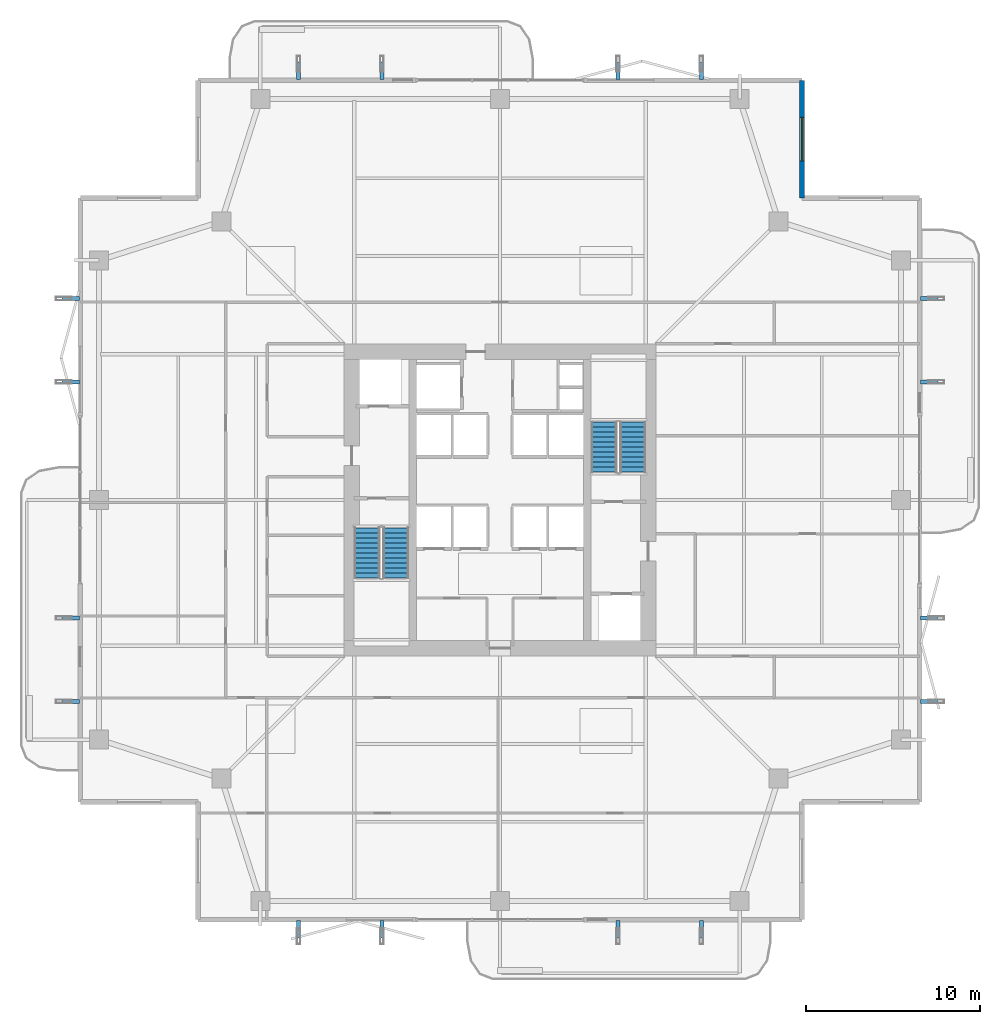
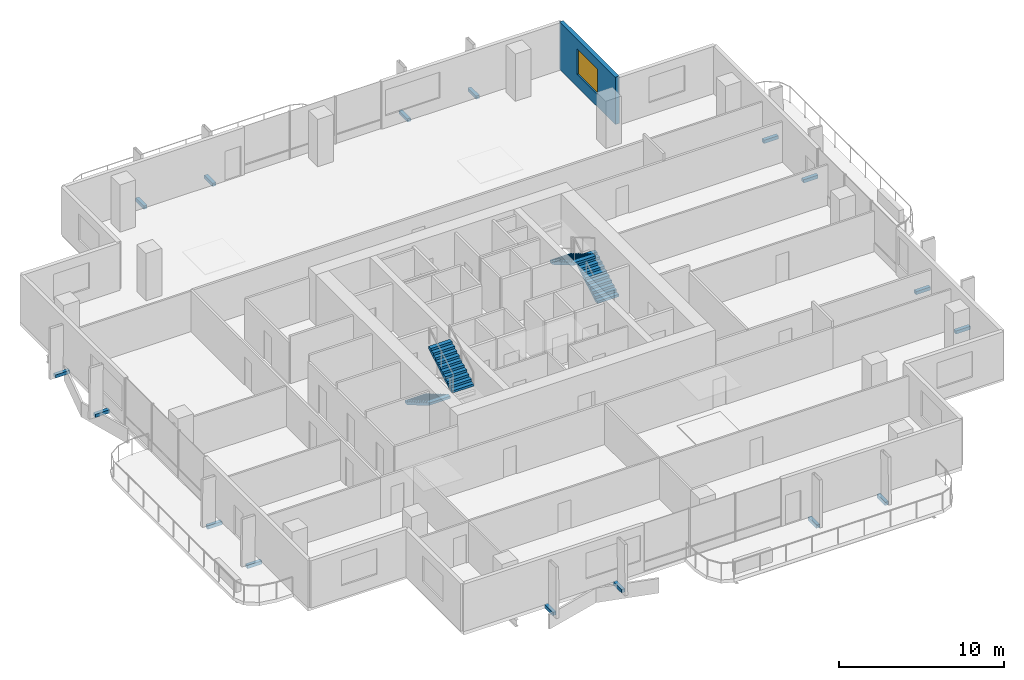
# One storey, part 21 of 24: 16 discrete accessories, 4 stair flights, 1 wall, 1 window, 1 opening, 2 elements without a shape of their own.
"""IFC4 building model written with IfcOpenShell, lengths in metres."""

import ifcopenshell
import ifcopenshell.guid

model = None  # the IFC model being written
_history = None  # IfcOwnerHistory: only IFC2X3 demands one
_inside = {}  # id of a spatial element -> (the spatial element, [elements in it])
_under = {}  # id of a project, library or spatial element -> (it, [spatial elements below it])
_declared = {}  # id of a project -> (the project, [libraries it declares])
_typed = {}  # id of a type object -> (the type object, [elements of that type])
_made_of = {}  # id of a material, layer set ... -> (it, [elements and type objects made of it])


def new_model(schema):
    """Start an empty IFC model of exactly this schema.

    Asked for "IFC4X3", IfcOpenShell would pick the latest addendum, in which some entities
    have other attributes; the version numbers below select the first issue.
    IFC2X3 requires an IfcOwnerHistory on every rooted entity: one is made here for all.
    """
    global model, _history
    if schema == "IFC4X3":
        model = ifcopenshell.file(schema_version=(4, 3, 0, 0))
    else:
        model = ifcopenshell.file(schema=schema)
    _inside.clear()
    _under.clear()
    _declared.clear()
    _typed.clear()
    _made_of.clear()
    _history = None
    if model.schema == "IFC2X3":
        org = make("IfcOrganization", Name="unknown")
        user = make(
            "IfcPersonAndOrganization",
            ThePerson=make("IfcPerson", FamilyName="unknown"),
            TheOrganization=org,
        )
        app = make(
            "IfcApplication",
            ApplicationDeveloper=org,
            Version="unknown",
            ApplicationFullName="unknown",
            ApplicationIdentifier="unknown",
        )
        _history = make(
            "IfcOwnerHistory",
            OwningUser=user,
            OwningApplication=app,
            ChangeAction="ADDED",
            CreationDate=0,
        )
    return model


def make(cls, **values):
    """One entity of the class cls with the attributes given. An attribute that is None is left unset."""
    return model.create_entity(
        cls, **{name: value for name, value in values.items() if value is not None}
    )


def rooted(cls, **values):
    """An entity with a GlobalId (a new one), such as an element, a storey or a relation."""
    return make(cls, GlobalId=ifcopenshell.guid.new(), OwnerHistory=_history, **values)


def si_unit(unit_type, name, prefix=None):
    """IfcSIUnit, for example si_unit("LENGTHUNIT", "METRE", prefix="MILLI")."""
    return make("IfcSIUnit", UnitType=unit_type, Prefix=prefix, Name=name)


def assignment(units):
    """IfcUnitAssignment: the units of a project."""
    return None if units is None else make("IfcUnitAssignment", Units=units)


def point(xyz):
    """IfcCartesianPoint."""
    return None if xyz is None else make("IfcCartesianPoint", Coordinates=xyz)


def direction(xyz):
    """IfcDirection."""
    return None if xyz is None else make("IfcDirection", DirectionRatios=xyz)


def frame(location, z_axis=None, x_axis=None):
    """IfcAxis2Placement3D, a coordinate frame: its origin and axes. An axis left out is left unset."""
    return make(
        "IfcAxis2Placement3D",
        Location=point(location),
        Axis=direction(z_axis),
        RefDirection=direction(x_axis),
    )


def frame_2d(location, x_axis=None):
    """IfcAxis2Placement2D, a coordinate frame in the plane: its origin and x axis."""
    return make(
        "IfcAxis2Placement2D", Location=point(location), RefDirection=direction(x_axis)
    )


def origin():
    """The frame at (0, 0, 0) with its axes left unset."""
    return frame((0.0, 0.0, 0.0))


def origin_2d():
    """The frame at (0, 0) in the plane with its x axis left unset."""
    return frame_2d((0.0, 0.0))


def place(relative_to, where):
    """IfcLocalPlacement: puts the frame where relative to a parent placement (None: the world)."""
    return make(
        "IfcLocalPlacement", PlacementRelTo=relative_to, RelativePlacement=where
    )


def context(
    kind, dimensions, precision=None, world=None, true_north=None, identifier=None
):
    """IfcGeometricRepresentationContext, for example the 3D "Model" context."""
    return make(
        "IfcGeometricRepresentationContext",
        ContextIdentifier=identifier,
        ContextType=kind,
        CoordinateSpaceDimension=dimensions,
        Precision=precision,
        WorldCoordinateSystem=world,
        TrueNorth=true_north,
    )


def subcontext(parent, identifier, kind, view, scale=None):
    """IfcGeometricRepresentationSubContext, for example "Body" below "Model"."""
    return make(
        "IfcGeometricRepresentationSubContext",
        ContextIdentifier=identifier,
        ContextType=kind,
        ParentContext=parent,
        TargetScale=scale,
        TargetView=view,
    )


def project(units=None, contexts=None):
    """IfcProject with its units and contexts."""
    return rooted(
        "IfcProject",
        Name="project",
        RepresentationContexts=contexts,
        UnitsInContext=assignment(units),
    )


def spatial(cls, under=None, at=None, **own):
    """A site, building, storey or space (cls), placed at a placement, below another one or the project."""
    s = rooted(cls, ObjectPlacement=at, **own)
    if under is not None:
        _under.setdefault(under.id(), (under, []))[1].append(s)
    return s


def polyline(points):
    """IfcPolyline through the points."""
    return make("IfcPolyline", Points=[point(p) for p in points])


def profile(cls, at=None, kind="AREA", **sizes):
    """A parametric profile (cls). Its sizes go by their IFC names, for example OverallWidth=200.0."""
    return make(cls, ProfileType=kind, Position=at, **sizes)


def rectangle(**sizes):
    """IfcRectangleProfileDef."""
    return profile("IfcRectangleProfileDef", **sizes)


def outline(outer, holes=None, kind="AREA"):
    """IfcArbitraryClosedProfileDef: a profile drawn as a closed curve; with holes, ...WithVoids."""
    if holes is None:
        return make("IfcArbitraryClosedProfileDef", ProfileType=kind, OuterCurve=outer)
    return make(
        "IfcArbitraryProfileDefWithVoids",
        ProfileType=kind,
        OuterCurve=outer,
        InnerCurves=holes,
    )


def extrude(swept, where, along, depth):
    """IfcExtrudedAreaSolid: the profile swept, set in the frame where, extruded along a direction by depth."""
    return make(
        "IfcExtrudedAreaSolid",
        SweptArea=swept,
        Position=where,
        ExtrudedDirection=direction(along),
        Depth=depth,
    )


def shape(context_of_items, identifier, shape_type, items):
    """IfcShapeRepresentation: the items that make up one representation, for example the "Body"."""
    return make(
        "IfcShapeRepresentation",
        ContextOfItems=context_of_items,
        RepresentationIdentifier=identifier,
        RepresentationType=shape_type,
        Items=items,
    )


def material(Name=None, Category=None):
    """IfcMaterial."""
    return make("IfcMaterial", Name=Name, Category=Category)


def layer(
    of_material, thickness, ventilated=None, Name=None, Category=None, Priority=None
):
    """IfcMaterialLayer: one layer of a wall or slab, of a material (None: an air gap)."""
    return make(
        "IfcMaterialLayer",
        Material=of_material,
        LayerThickness=thickness,
        IsVentilated=ventilated,
        Name=Name,
        Category=Category,
        Priority=Priority,
    )


def layer_set(layers, Name=None):
    """IfcMaterialLayerSet."""
    return make("IfcMaterialLayerSet", MaterialLayers=layers, LayerSetName=Name)


def made_of(thing, what):
    """Note that an element or type object is made of a material, layer set ...; save() writes the relation."""
    if what is not None:
        _made_of.setdefault(what.id(), (what, []))[1].append(thing)
    return thing


def type_object(cls, material=None, **own):
    """A type object (cls), such as IfcWallType, which elements share."""
    return made_of(rooted(cls, **own), material)


def element(
    cls,
    number,
    at=None,
    inside=None,
    cuts=None,
    type_object=None,
    material=None,
    context=None,
    identifier="Body",
    shape_type=None,
    held_by="IfcProductDefinitionShape",
    body=None,
    shapes=None,
    **own,
):
    """One element of the class cls, such as IfcWall. Its Tag is "e" and its number.

    at: its placement. inside: the storey or other place that contains it. cuts: it is an
    opening in that element (IfcRelVoidsElement). A single representation is given by context,
    identifier, shape_type and body (its items); several are given by shapes. held_by: the class
    of the entity that holds the representations. save() writes the other relations.
    """
    e = rooted(cls, Tag="e%d" % number, ObjectPlacement=at, **own)
    if body is not None:
        shapes = [shape(context, identifier, shape_type, body)]
    if shapes is not None:
        e.Representation = make(held_by, Representations=shapes)
    if inside is not None:
        _inside.setdefault(inside.id(), (inside, []))[1].append(e)
    if cuts is not None:
        rooted(
            "IfcRelVoidsElement", RelatingBuildingElement=cuts, RelatedOpeningElement=e
        )
    if type_object is not None:
        _typed.setdefault(type_object.id(), (type_object, []))[1].append(e)
    return made_of(e, material)


def fill(opening, filler):
    """IfcRelFillsElement: the door or window that sits in an opening."""
    return rooted(
        "IfcRelFillsElement",
        RelatingOpeningElement=opening,
        RelatedBuildingElement=filler,
    )


def aggregate(whole, parts):
    """IfcRelAggregates: a whole, such as a stair, and the parts it consists of."""
    return rooted("IfcRelAggregates", RelatingObject=whole, RelatedObjects=parts)


def save(model, path):
    """Write the relations noted so far, then the file.

    IfcRelAggregates (storeys below a building ...), IfcRelContainedInSpatialStructure (elements
    in a storey), IfcRelDefinesByType, IfcRelAssociatesMaterial and IfcRelDeclares: one each for
    every whole, place, type object, material and project.
    """
    for whole, parts in _under.values():
        aggregate(whole, parts)
    for where, things in _inside.values():
        rooted(
            "IfcRelContainedInSpatialStructure",
            RelatedElements=things,
            RelatingStructure=where,
        )
    for kind, things in _typed.values():
        rooted("IfcRelDefinesByType", RelatedObjects=things, RelatingType=kind)
    for what, things in _made_of.values():
        rooted("IfcRelAssociatesMaterial", RelatedObjects=things, RelatingMaterial=what)
    for by, libraries in _declared.values():
        rooted("IfcRelDeclares", RelatingContext=by, RelatedDefinitions=libraries)
    model.write(path)


model = new_model("IFC4")

# Units and contexts
model_context = context("Model", 3, precision=1e-05, world=origin(), true_north=direction((0.0, 1.0)))
body_context = subcontext(model_context, "Body", "Model", "MODEL_VIEW")
ifc_project = project(units=[si_unit("LENGTHUNIT", "METRE"), si_unit("AREAUNIT", "SQUARE_METRE"), si_unit("VOLUMEUNIT", "CUBIC_METRE"), si_unit("PLANEANGLEUNIT", "RADIAN"), si_unit("MASSUNIT", "GRAM", prefix="KILO")], contexts=[model_context])

# Site, building, storey
site_placement = place(None, origin())
site = spatial("IfcSite", under=ifc_project, at=site_placement, CompositionType="ELEMENT")
building_placement = place(site_placement, origin())
building = spatial("IfcBuilding", under=site, at=building_placement, Name="Belovzor Exchange Tower", CompositionType="ELEMENT")
storey_placement = place(building_placement, frame((0.0, 0.0, 179.550048828125)))
storey = spatial("IfcBuildingStorey", under=building, at=storey_placement, Name="L44", CompositionType="ELEMENT", Elevation=179.550048828125)

# Wall, opening, window
ifc_material_1 = material(Name="Precast concrete C40/50", Category="concrete")
ifc_layer_1 = layer(ifc_material_1, 0.280029296875)
ifc_layer_set_1 = layer_set([ifc_layer_1], Name="Precast concrete C40/50")
wall_type = type_object("IfcWallType", Name="Precast Concrete Notched Corner Frame Wall 280", PredefinedType="SOLIDWALL", material=ifc_layer_set_1)
wall_placement = place(storey_placement, frame((46.199951171875, 52.969970703125, 0.0), z_axis=(0.0, 0.0, 1.0), x_axis=(0.0, -1.0, 0.0)))
wall = element("IfcWall", 1, at=wall_placement, inside=storey, type_object=wall_type, Name="W-CRN280 Precast Concrete Notched Corner Frame Wall 280 L44", PredefinedType="SOLIDWALL", context=body_context, shape_type="SweptSolid", body=[
    extrude(rectangle(XDim=6.77001953125, YDim=0.280029296875, at=frame_2d((3.385009765625, 0.0))), origin(), (0.0, 0.0, 1.0), 3.494873046875),
])
opening_placement = place(wall_placement, frame((2.135009765625, 0.0, 0.89990234375)))
opening = element("IfcOpeningElement", 2, at=opening_placement, cuts=wall, Name="Opening WN-CRN250", PredefinedType="OPENING", context=body_context, shape_type="SweptSolid", body=[
    extrude(rectangle(XDim=2.5, YDim=1.89990234375, at=frame_2d((1.25, 0.949951171875))), frame((0.0, 0.14990234375, 0.0), z_axis=(0.0, -1.0, 0.0), x_axis=(1.0, 0.0, 0.0)), (0.0, 0.0, 1.0), 0.300048828125),
])
ifc_material_2 = material(Name="Thermally Broken Aluminium and Triple Glazing", Category="aluminium")
window_type = type_object("IfcWindowType", Name="Streamline Moderne Corner Wrap Ribbon Window 2500x1900", PartitioningType="SINGLE_PANEL", PredefinedType="WINDOW", material=ifc_material_2)
window_placement = place(opening_placement, origin())
window = element("IfcWindow", 3, at=window_placement, inside=storey, type_object=window_type, Name="WN-CRN250 Streamline Moderne Corner Wrap Ribbon Window 2500x1900", OverallHeight=1.89990234375, OverallWidth=2.5, PartitioningType="SINGLE_PANEL", PredefinedType="WINDOW", context=body_context, shape_type="SweptSolid", body=[
    extrude(rectangle(XDim=2.5, YDim=1.89990234375, at=frame_2d((1.25, 0.949951171875))), frame((0.0, 0.030029296875, 0.0), z_axis=(0.0, -1.0, 0.0), x_axis=(1.0, 0.0, 0.0)), (0.0, 0.0, 1.0), 0.06005859375),
])
fill(opening, window)

# Stair, stair flights
ifc_material_3 = material(Name="Concrete C40/50", Category="concrete")
stair_type = type_object("IfcStairType", Name="Reinforced Concrete Dogleg Escape Stair 1350", PredefinedType="HALF_TURN_STAIR", material=ifc_material_3)
stair_1_placement = place(storey_placement, origin())
stair_1 = element("IfcStair", 4, at=stair_1_placement, inside=storey, type_object=stair_type, Name="L44 ST-1", PredefinedType="HALF_TURN_STAIR")
ifc_material_4 = material(Name="Concrete C40/50", Category="concrete")
stair_flight_type = type_object("IfcStairFlightType", Name="Reinforced Concrete Stair Flight 1350", PredefinedType="STRAIGHT", material=ifc_material_4)
stair_flight_1_placement = place(storey_placement, frame((21.14990234375, 27.199951171875, 0.0), z_axis=(0.0, 0.0, 1.0), x_axis=(0.0, -1.0, 0.0)))
stair_flight_1 = element("IfcStairFlight", 5, at=stair_flight_1_placement, type_object=stair_flight_type, Name="ST-1 flight 1", NumberOfRisers=11, NumberOfTreads=10, PredefinedType="STRAIGHT", RiserHeight=0.170454545, TreadLength=0.29, context=body_context, shape_type="SweptSolid", body=[
    extrude(outline(polyline([(0.0, 0.0), (0.0, 0.17041015625), (0.2900390625, 0.17041015625), (0.2900390625, 0.3408203125), (0.580078125, 0.3408203125), (0.580078125, 0.511474609375), (0.8701171875, 0.511474609375), (0.8701171875, 0.681884765625), (1.159912109375, 0.681884765625), (1.159912109375, 0.852294921875), (1.449951171875, 0.852294921875), (1.449951171875, 1.022705078125), (1.739990234375, 1.022705078125), (1.739990234375, 1.193115234375), (2.030029296875, 1.193115234375), (2.030029296875, 1.363525390625), (2.320068359375, 1.363525390625), (2.320068359375, 1.5341796875), (2.610107421875, 1.5341796875), (2.610107421875, 1.70458984375), (2.89990234375, 1.70458984375), (2.89990234375, 1.875), (2.89990234375, 1.53076171875), (0.2958984375, 0.0), (0.0, 0.0)])), frame((0.0, 0.75, 0.0), z_axis=(0.0, -1.0, 0.0), x_axis=(1.0, 0.0, 0.0)), (0.0, 0.0, 1.0), 1.5),
])
stair_flight_2_placement = place(storey_placement, frame((22.800048828125, 24.300048828125, 1.875), z_axis=(0.0, 0.0, 1.0), x_axis=(0.0, 1.0, 0.0)))
stair_flight_2 = element("IfcStairFlight", 6, at=stair_flight_2_placement, type_object=stair_flight_type, Name="ST-1 flight 2", NumberOfRisers=11, NumberOfTreads=10, PredefinedType="STRAIGHT", RiserHeight=0.170454545, TreadLength=0.29, context=body_context, shape_type="SweptSolid", body=[
    extrude(outline(polyline([(0.0, 0.0), (0.0, 0.17041015625), (0.2900390625, 0.17041015625), (0.2900390625, 0.3408203125), (0.580078125, 0.3408203125), (0.580078125, 0.511474609375), (0.8701171875, 0.511474609375), (0.8701171875, 0.681884765625), (1.159912109375, 0.681884765625), (1.159912109375, 0.852294921875), (1.449951171875, 0.852294921875), (1.449951171875, 1.022705078125), (1.739990234375, 1.022705078125), (1.739990234375, 1.193115234375), (2.030029296875, 1.193115234375), (2.030029296875, 1.363525390625), (2.320068359375, 1.363525390625), (2.320068359375, 1.5341796875), (2.610107421875, 1.5341796875), (2.610107421875, 1.70458984375), (2.89990234375, 1.70458984375), (2.89990234375, 1.875), (2.89990234375, 1.53076171875), (0.2958984375, 0.0), (0.0, 0.0)])), frame((0.0, 0.75, 0.0), z_axis=(0.0, -1.0, 0.0), x_axis=(1.0, 0.0, 0.0)), (0.0, 0.0, 1.0), 1.5),
])
aggregate(stair_1, [stair_flight_1, stair_flight_2])

stair_2_placement = place(storey_placement, origin())
stair_2 = element("IfcStair", 7, at=stair_2_placement, inside=storey, type_object=stair_type, Name="L44 ST-2", PredefinedType="HALF_TURN_STAIR")
stair_flight_3_placement = place(storey_placement, frame((36.449951171875, 30.39990234375, 0.0), z_axis=(0.0, 0.0, 1.0), x_axis=(0.0, 1.0, 0.0)))
stair_flight_3 = element("IfcStairFlight", 8, at=stair_flight_3_placement, type_object=stair_flight_type, Name="ST-2 flight 1", NumberOfRisers=11, NumberOfTreads=10, PredefinedType="STRAIGHT", RiserHeight=0.170454545, TreadLength=0.29, context=body_context, shape_type="SweptSolid", body=[
    extrude(outline(polyline([(0.0, 0.0), (0.0, 0.17041015625), (0.2900390625, 0.17041015625), (0.2900390625, 0.3408203125), (0.580078125, 0.3408203125), (0.580078125, 0.511474609375), (0.8701171875, 0.511474609375), (0.8701171875, 0.681884765625), (1.159912109375, 0.681884765625), (1.159912109375, 0.852294921875), (1.449951171875, 0.852294921875), (1.449951171875, 1.022705078125), (1.739990234375, 1.022705078125), (1.739990234375, 1.193115234375), (2.030029296875, 1.193115234375), (2.030029296875, 1.363525390625), (2.320068359375, 1.363525390625), (2.320068359375, 1.5341796875), (2.610107421875, 1.5341796875), (2.610107421875, 1.70458984375), (2.89990234375, 1.70458984375), (2.89990234375, 1.875), (2.89990234375, 1.53076171875), (0.2958984375, 0.0), (0.0, 0.0)])), frame((0.0, 0.75, 0.0), z_axis=(0.0, -1.0, 0.0), x_axis=(1.0, 0.0, 0.0)), (0.0, 0.0, 1.0), 1.5),
])
stair_flight_4_placement = place(storey_placement, frame((34.800048828125, 33.300048828125, 1.875), z_axis=(0.0, 0.0, 1.0), x_axis=(0.0, -1.0, 0.0)))
stair_flight_4 = element("IfcStairFlight", 9, at=stair_flight_4_placement, type_object=stair_flight_type, Name="ST-2 flight 2", NumberOfRisers=11, NumberOfTreads=10, PredefinedType="STRAIGHT", RiserHeight=0.170454545, TreadLength=0.29, context=body_context, shape_type="SweptSolid", body=[
    extrude(outline(polyline([(0.0, 0.0), (0.0, 0.17041015625), (0.2900390625, 0.17041015625), (0.2900390625, 0.3408203125), (0.580078125, 0.3408203125), (0.580078125, 0.511474609375), (0.8701171875, 0.511474609375), (0.8701171875, 0.681884765625), (1.159912109375, 0.681884765625), (1.159912109375, 0.852294921875), (1.449951171875, 0.852294921875), (1.449951171875, 1.022705078125), (1.739990234375, 1.022705078125), (1.739990234375, 1.193115234375), (2.030029296875, 1.193115234375), (2.030029296875, 1.363525390625), (2.320068359375, 1.363525390625), (2.320068359375, 1.5341796875), (2.610107421875, 1.5341796875), (2.610107421875, 1.70458984375), (2.89990234375, 1.70458984375), (2.89990234375, 1.875), (2.89990234375, 1.53076171875), (0.2958984375, 0.0), (0.0, 0.0)])), frame((0.0, 0.75, 0.0), z_axis=(0.0, -1.0, 0.0), x_axis=(1.0, 0.0, 0.0)), (0.0, 0.0, 1.0), 1.5),
])
aggregate(stair_2, [stair_flight_3, stair_flight_4])

# Discrete accessories
ifc_material_5 = material(Name="Stainless Steel Grade 316", Category="steel")
ifc_layer_2 = layer(ifc_material_5, 0.179931640625)
ifc_layer_set_2 = layer_set([ifc_layer_2], Name="Stainless Steel Grade 316")
discrete_accessory_type = type_object("IfcDiscreteAccessoryType", Name="Stainless Steel Facade Outrigger Fixing Bracket", PredefinedType="BRACKET", material=ifc_layer_set_2)
for number, where, z_axis, x_axis, name in (
    (10, (17.199951171875, 4.073974609375, -0.2470703125), (0.0, 0.0, 1.0), (0.0, 1.0, 0.0), "BRK-FIN1 Sweeping Fin Outrigger Bracket L44 S1"),
    (11, (17.199951171875, 53.52587890625, -0.2470703125), (0.0, 0.0, 1.0), (0.0, 1.0, 0.0), "BRK-FIN1 Sweeping Fin Outrigger Bracket L44 N1"),
    (12, (4.073974609375, 17.199951171875, -0.2470703125), (0.0, 0.0, 1.0), (1.0, 0.0, 0.0), "BRK-FIN1 Sweeping Fin Outrigger Bracket L44 W1"),
    (13, (53.52587890625, 17.199951171875, -0.2470703125), (0.0, 0.0, 1.0), (1.0, 0.0, 0.0), "BRK-FIN1 Sweeping Fin Outrigger Bracket L44 E1"),
    (14, (22.0, 4.073974609375, -0.2470703125), (0.0, 0.0, 1.0), (0.0, 1.0, 0.0), "BRK-FIN1 Sweeping Fin Outrigger Bracket L44 S2"),
    (15, (22.0, 53.52587890625, -0.2470703125), (0.0, 0.0, 1.0), (0.0, 1.0, 0.0), "BRK-FIN1 Sweeping Fin Outrigger Bracket L44 N2"),
    (16, (4.073974609375, 22.0, -0.2470703125), (0.0, 0.0, 1.0), (1.0, 0.0, 0.0), "BRK-FIN1 Sweeping Fin Outrigger Bracket L44 W2"),
    (17, (53.52587890625, 22.0, -0.2470703125), (0.0, 0.0, 1.0), (1.0, 0.0, 0.0), "BRK-FIN1 Sweeping Fin Outrigger Bracket L44 E2"),
    (18, (35.60009765625, 4.073974609375, -0.2470703125), (0.0, 0.0, 1.0), (0.0, 1.0, 0.0), "BRK-FIN1 Sweeping Fin Outrigger Bracket L44 S3"),
    (19, (35.60009765625, 53.52587890625, -0.2470703125), (0.0, 0.0, 1.0), (0.0, 1.0, 0.0), "BRK-FIN1 Sweeping Fin Outrigger Bracket L44 N3"),
    (20, (4.073974609375, 35.60009765625, -0.2470703125), (0.0, 0.0, 1.0), (1.0, 0.0, 0.0), "BRK-FIN1 Sweeping Fin Outrigger Bracket L44 W3"),
    (21, (53.52587890625, 35.60009765625, -0.2470703125), (0.0, 0.0, 1.0), (1.0, 0.0, 0.0), "BRK-FIN1 Sweeping Fin Outrigger Bracket L44 E3"),
    (22, (40.39990234375, 4.073974609375, -0.2470703125), (0.0, 0.0, 1.0), (0.0, 1.0, 0.0), "BRK-FIN1 Sweeping Fin Outrigger Bracket L44 S4"),
    (23, (40.39990234375, 53.52587890625, -0.2470703125), (0.0, 0.0, 1.0), (0.0, 1.0, 0.0), "BRK-FIN1 Sweeping Fin Outrigger Bracket L44 N4"),
    (24, (4.073974609375, 40.39990234375, -0.2470703125), (0.0, 0.0, 1.0), (1.0, 0.0, 0.0), "BRK-FIN1 Sweeping Fin Outrigger Bracket L44 W4"),
    (25, (53.52587890625, 40.39990234375, -0.2470703125), (0.0, 0.0, 1.0), (1.0, 0.0, 0.0), "BRK-FIN1 Sweeping Fin Outrigger Bracket L44 E4"),
):
    element("IfcDiscreteAccessory", number, at=place(storey_placement, frame(where, z_axis=z_axis, x_axis=x_axis)), inside=storey, type_object=discrete_accessory_type, Name=name, PredefinedType="BRACKET", context=body_context, shape_type="SweptSolid", body=[
        extrude(rectangle(XDim=1.012939453125, YDim=0.239990234375, at=origin_2d()), origin(), (0.0, 0.0, 1.0), 0.239990234375),
    ])

save(model, "model.ifc")
